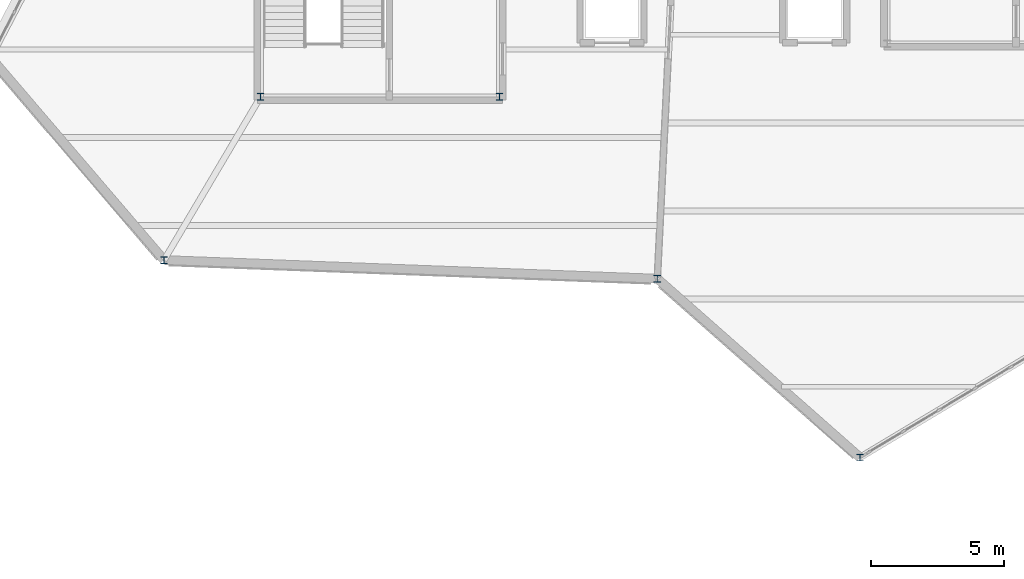
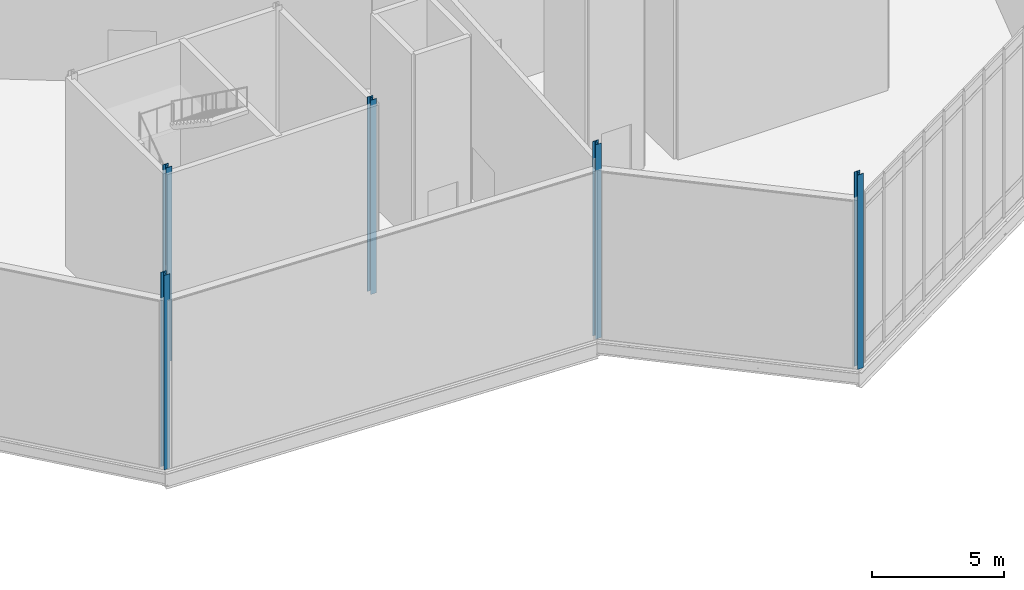
# One storey, part 5 of 66: 5 columns.
"""IFC4 building model written with IfcOpenShell, lengths in metres."""

from ifc_helpers import new_model, si_unit, direction, frame, origin, origin_2d, place, context, subcontext, project, spatial, i_section, extrude, material, material_profile, profile_set, type_object, element, save


model = new_model("IFC4")

# Units and contexts
model_context = context("Model", 3, precision=1e-05, world=origin(), true_north=direction((0.0, 1.0)))
body_context = subcontext(model_context, "Body", "Model", "MODEL_VIEW")
ifc_project = project(units=[si_unit("LENGTHUNIT", "METRE"), si_unit("AREAUNIT", "SQUARE_METRE"), si_unit("VOLUMEUNIT", "CUBIC_METRE"), si_unit("PLANEANGLEUNIT", "RADIAN"), si_unit("MASSUNIT", "GRAM", prefix="KILO")], contexts=[model_context])

# Site, building, storey
site_placement = place(None, origin())
site = spatial("IfcSite", under=ifc_project, at=site_placement, CompositionType="ELEMENT")
building_placement = place(site_placement, origin())
building = spatial("IfcBuilding", under=site, at=building_placement, Name="Tameran Prism Museum", CompositionType="ELEMENT")
storey_placement = place(building_placement, frame((0.0, 0.0, 19.800048828125)))
storey = spatial("IfcBuildingStorey", under=building, at=storey_placement, Name="L04", CompositionType="ELEMENT", Elevation=19.800048828125)

# Columns
ifc_material = material(Name="Steel Grade 300PLUS (300 MPa)", Category="steel")
ifc_material_profile = material_profile(ifc_material, i_section(OverallWidth=0.256103515625, OverallDepth=0.260009765625, WebThickness=0.010498046875, FlangeThickness=0.017333984375, FilletRadius=0.0126953125, at=origin_2d()))
ifc_profile_set = profile_set([ifc_material_profile])
column_type = type_object("IfcColumnType", Name="COL-UC250A", PredefinedType="COLUMN", material=ifc_profile_set)
for number, where, z_axis, x_axis, name in (
    (1, (99.39990234375, 71.300048828125, 0.0), (0.0, 0.0, 1.0), (1.0, 0.0, 0.0), "Column CV-40 L04"),
    (2, (117.89990234375, 70.60009765625, 0.0), (0.0, 0.0, 1.0), (1.0, 0.0, 0.0), "Column CV-46 L04"),
    (3, (125.5, 63.89990234375, 0.0), (0.0, 0.0, 1.0), (1.0, 0.0, 0.0), "Column CV-49 L04"),
    (4, (103.02001953125, 77.419921875, 0.0), (0.0, 0.0, 1.0), (1.0, 0.0, 0.0), "Column CC-1-1 L04"),
    (5, (111.97998046875, 77.419921875, 0.0), (0.0, 0.0, 1.0), (1.0, 0.0, 0.0), "Column CC-1-2 L04"),
):
    element("IfcColumn", number, at=place(storey_placement, frame(where, z_axis=z_axis, x_axis=x_axis)), inside=storey, type_object=column_type, Name=name, PredefinedType="COLUMN", context=body_context, shape_type="SweptSolid", body=[
        extrude(i_section(OverallWidth=0.256103515625, OverallDepth=0.260009765625, WebThickness=0.010498046875, FlangeThickness=0.017333984375, FilletRadius=0.0126953125, at=origin_2d()), origin(), (0.0, 0.0, 1.0), 9.0),
    ])

save(model, "model.ifc")
